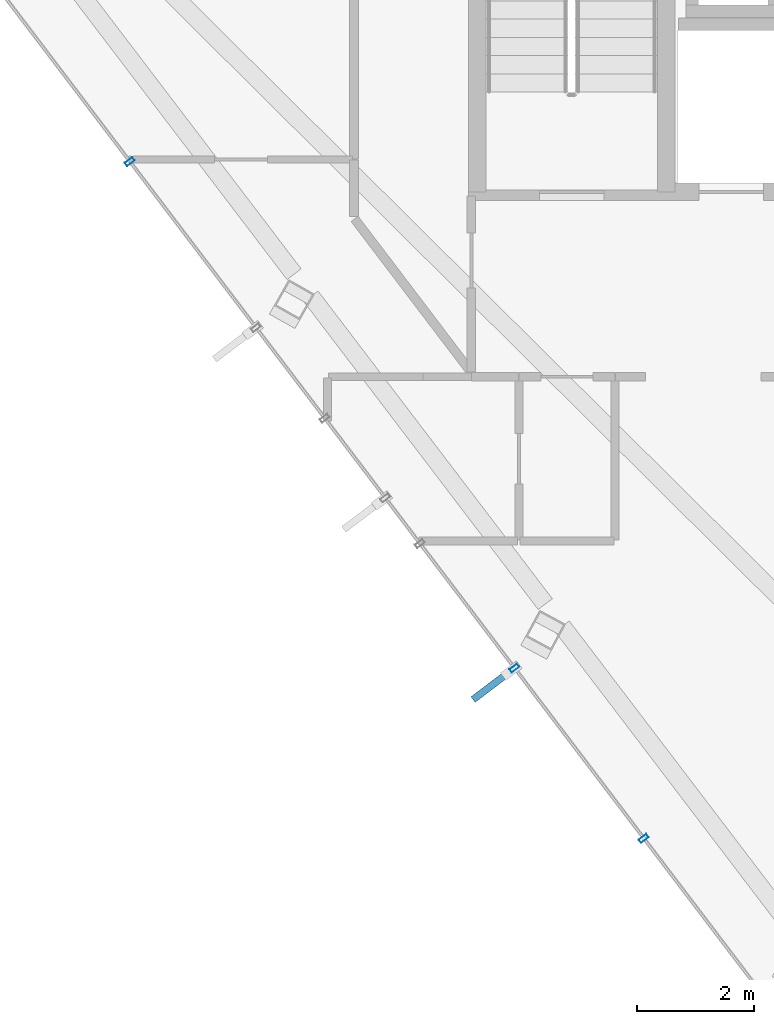
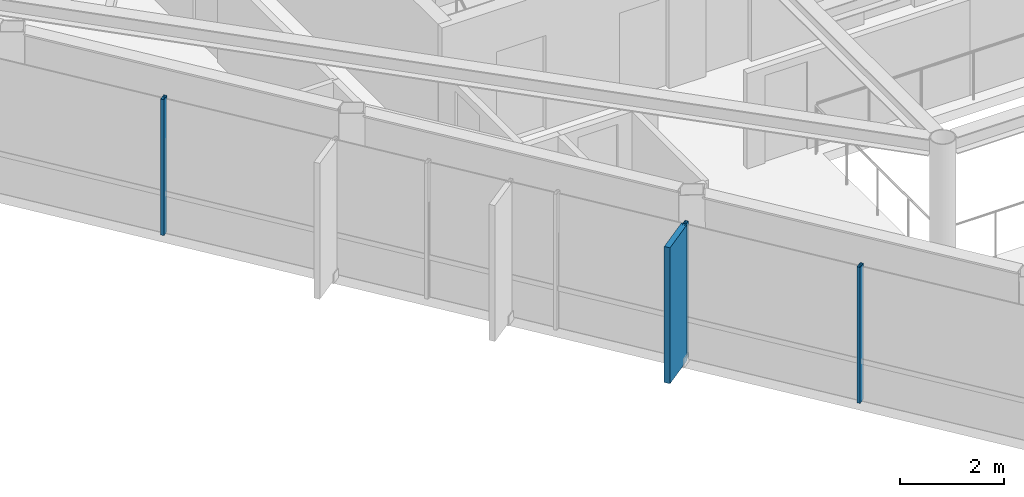
# One storey, part 2 of 25: 4 members, 1 element without a shape of its own.
"""IFC4 building model written with IfcOpenShell, lengths in metres."""

from ifc_helpers import new_model, si_unit, direction, frame, origin, origin_2d, place, context, subcontext, project, spatial, rectangle, hollow_rectangle, extrude, material, layer, layer_set, material_profile, profile_set, type_object, element, aggregate, save


model = new_model("IFC4")

# Units and contexts
model_context = context("Model", 3, precision=1e-05, world=origin(), true_north=direction((0.0, 1.0)))
body_context = subcontext(model_context, "Body", "Model", "MODEL_VIEW")
ifc_project = project(units=[si_unit("LENGTHUNIT", "METRE"), si_unit("AREAUNIT", "SQUARE_METRE"), si_unit("VOLUMEUNIT", "CUBIC_METRE"), si_unit("PLANEANGLEUNIT", "RADIAN"), si_unit("MASSUNIT", "GRAM", prefix="KILO")], contexts=[model_context])

# Site, building, storey
site_placement = place(None, origin())
site = spatial("IfcSite", under=ifc_project, at=site_placement, CompositionType="ELEMENT")
building_placement = place(site_placement, origin())
building = spatial("IfcBuilding", under=site, at=building_placement, Name="Zarrinselat Tower", CompositionType="ELEMENT")
storey_placement = place(building_placement, frame((0.0, 0.0, 275.39990234375)))
storey = spatial("IfcBuildingStorey", under=building, at=storey_placement, Name="L70", CompositionType="ELEMENT", Elevation=275.39990234375)

# Curtain wall, members
ifc_material_1 = material(Name="Extruded Aluminium Alloy EN AW-6063 T6", Category="aluminium")
ifc_layer = layer(ifc_material_1, 0.169921875)
ifc_layer_set = layer_set([ifc_layer], Name="Extruded Aluminium Alloy EN AW-6063 T6")
curtain_wall_type = type_object("IfcCurtainWallType", Name="CWS-RES", PredefinedType="NOTDEFINED", material=ifc_layer_set)
curtain_wall_placement = place(storey_placement, origin())
curtain_wall = element("IfcCurtainWall", 1, at=curtain_wall_placement, inside=storey, type_object=curtain_wall_type, Name="L70 Unitised Curtain Wall CW-L70-E03", PredefinedType="NOTDEFINED")
ifc_material_2 = material(Name="Extruded Aluminium Alloy EN AW-6063 T6", Category="aluminium")
ifc_material_profile_1 = material_profile(ifc_material_2, hollow_rectangle(XDim=0.070068359375, YDim=0.159912109375, WallThickness=0.00390625, at=origin_2d()), Name="RHS 160x70x4")
ifc_profile_set_1 = profile_set([ifc_material_profile_1], Name="Extruded Aluminium Alloy EN AW-6063 T6")
member_type_1 = type_object("IfcMemberType", Name="MEM-CW-MUL2", PredefinedType="MULLION", material=ifc_profile_set_1)
member_1_placement = place(storey_placement, frame((22.733154296875, 33.81396484375, 0.0), z_axis=(0.0, 0.0, 1.0), x_axis=(0.604787567266, -0.796386839721, 0.0)))
member_1 = element("IfcMember", 2, at=member_1_placement, type_object=member_type_1, Name="CW-L70-E03 Mullion 4", PredefinedType="MULLION", context=body_context, shape_type="SweptSolid", body=[
    extrude(hollow_rectangle(XDim=0.070068359375, YDim=0.159912109375, WallThickness=0.00390625, at=origin_2d()), origin(), (0.0, 0.0, 1.0), 3.18017578125),
])
member_2_placement = place(storey_placement, frame((29.28515625, 25.186279296875, 0.0), z_axis=(0.0, 0.0, 1.0), x_axis=(0.604787567266, -0.796386839721, 0.0)))
member_2 = element("IfcMember", 3, at=member_2_placement, type_object=member_type_1, Name="CW-L70-E03 Mullion 9", PredefinedType="MULLION", context=body_context, shape_type="SweptSolid", body=[
    extrude(hollow_rectangle(XDim=0.070068359375, YDim=0.159912109375, WallThickness=0.00390625, at=origin_2d()), origin(), (0.0, 0.0, 1.0), 3.18017578125),
])
member_3_placement = place(storey_placement, frame((31.48681640625, 22.287109375, 0.0), z_axis=(0.0, 0.0, 1.0), x_axis=(0.604787567266, -0.796386839721, 0.0)))
member_3 = element("IfcMember", 4, at=member_3_placement, type_object=member_type_1, Name="CW-L70-E03 Mullion 10", PredefinedType="MULLION", context=body_context, shape_type="SweptSolid", body=[
    extrude(hollow_rectangle(XDim=0.070068359375, YDim=0.159912109375, WallThickness=0.00390625, at=origin_2d()), origin(), (0.0, 0.0, 1.0), 3.18017578125),
])
ifc_material_3 = material(Name="Honed Cream Travertine Stone", Category="masonry")
ifc_material_profile_2 = material_profile(ifc_material_3, rectangle(XDim=0.1201171875, YDim=0.85009765625, at=origin_2d()), Name="FIN 850x120")
ifc_profile_set_2 = profile_set([ifc_material_profile_2], Name="Honed Cream Travertine Stone")
member_type_2 = type_object("IfcMemberType", Name="MEM-STONE-FIN", PredefinedType="USERDEFINED", material=ifc_profile_set_2)
member_4_placement = place(storey_placement, frame((28.918701171875, 24.908203125, 0.0), z_axis=(0.0, 0.0, 1.0), x_axis=(-0.604787567266, 0.796386839721, 0.0)))
member_4 = element("IfcMember", 5, at=member_4_placement, type_object=member_type_2, Name="L70 Stone Shading Fin CW-L70-E03-09", ObjectType="FIN", PredefinedType="USERDEFINED", context=body_context, shape_type="SweptSolid", body=[
    extrude(rectangle(XDim=0.1201171875, YDim=0.85009765625, at=origin_2d()), origin(), (0.0, 0.0, 1.0), 3.18017578125),
])
aggregate(curtain_wall, [member_1, member_2, member_4, member_3])

save(model, "model.ifc")
